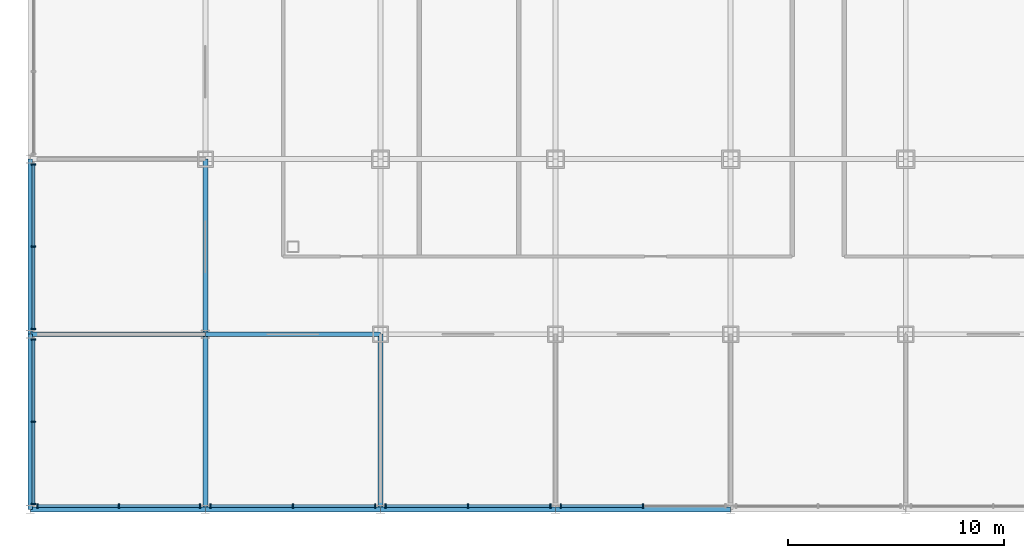
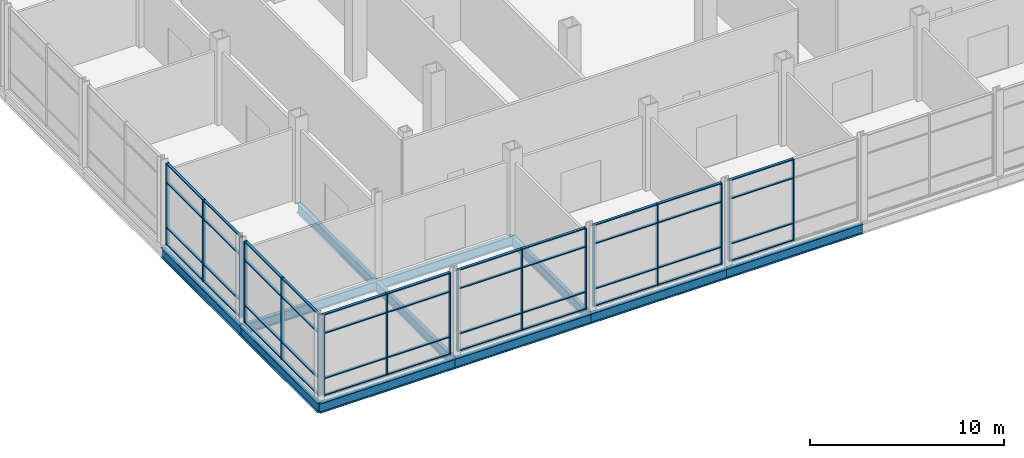
# One storey, part 9 of 30: 61 members, 11 beams, 6 elements without a shape of their own.
"""IFC4 building model written with IfcOpenShell, lengths in metres."""

from ifc_helpers import new_model, si_unit, direction, frame, origin, origin_2d, place, context, subcontext, project, spatial, rectangle, i_section, extrude, material, material_profile, profile_set, type_object, element, aggregate, save


model = new_model("IFC4")

# Units and contexts
model_context = context("Model", 3, precision=1e-05, world=origin(), true_north=direction((0.0, 1.0)))
body_context = subcontext(model_context, "Body", "Model", "MODEL_VIEW")
ifc_project = project(units=[si_unit("LENGTHUNIT", "METRE"), si_unit("AREAUNIT", "SQUARE_METRE"), si_unit("VOLUMEUNIT", "CUBIC_METRE"), si_unit("PLANEANGLEUNIT", "RADIAN"), si_unit("MASSUNIT", "GRAM", prefix="KILO")], contexts=[model_context])

# Site, building, storey
site_placement = place(None, origin())
site = spatial("IfcSite", under=ifc_project, at=site_placement, CompositionType="ELEMENT")
building_placement = place(site_placement, origin())
building = spatial("IfcBuilding", under=site, at=building_placement, Name="Kopane Lantern Tower", CompositionType="ELEMENT")
storey_placement = place(building_placement, frame((0.0, 0.0, 6.0)))
storey = spatial("IfcBuildingStorey", under=building, at=storey_placement, Name="L01", CompositionType="ELEMENT", Elevation=6.0)

# Beams
ifc_material_1 = material(Name="Steel S355JR", Category="steel")
ifc_material_profile_1 = material_profile(ifc_material_1, i_section(OverallWidth=0.22900390625, OverallDepth=0.6123046875, WebThickness=0.011962890625, FlangeThickness=0.01953125, FilletRadius=0.0126953125, at=origin_2d()), Name="UB 610x229x125")
ifc_profile_set_1 = profile_set([ifc_material_profile_1], Name="Steel S355JR")
beam_type = type_object("IfcBeamType", Name="GIRDER UB 610x229x125", PredefinedType="BEAM", material=ifc_profile_set_1)
for number, where, z_axis, x_axis, name in (
    (1, (-8.10009765625, -8.10009765625, -0.55615234375), (0.0, 1.0, 0.0), (-1.0, 0.0, 0.0), "Girder L01"),
    (2, (-8.10009765625, -8.10009765625, -0.55615234375), (1.0, 0.0, 0.0), (0.0, 1.0, 0.0), "Girder L01"),
    (3, (-8.10009765625, 0.0, -0.55615234375), (0.0, 1.0, 0.0), (-1.0, 0.0, 0.0), "Girder L01"),
    (4, (-8.10009765625, 0.0, -0.55615234375), (1.0, 0.0, 0.0), (0.0, 1.0, 0.0), "Girder L01"),
    (5, (0.0, -8.10009765625, -0.55615234375), (0.0, 1.0, 0.0), (-1.0, 0.0, 0.0), "Girder L01"),
    (6, (0.0, -8.10009765625, -0.55615234375), (1.0, 0.0, 0.0), (0.0, 1.0, 0.0), "Girder L01"),
    (7, (0.0, 0.0, -0.55615234375), (0.0, 1.0, 0.0), (-1.0, 0.0, 0.0), "Girder L01"),
    (8, (0.0, 0.0, -0.55615234375), (1.0, 0.0, 0.0), (0.0, 1.0, 0.0), "Girder L01"),
    (9, (8.10009765625, -8.10009765625, -0.55615234375), (0.0, 1.0, 0.0), (-1.0, 0.0, 0.0), "Girder L01"),
):
    element("IfcBeam", number, at=place(storey_placement, frame(where, z_axis=z_axis, x_axis=x_axis)), inside=storey, type_object=beam_type, Name=name, PredefinedType="BEAM", context=body_context, shape_type="SweptSolid", body=[
        extrude(i_section(OverallWidth=0.22900390625, OverallDepth=0.6123046875, WebThickness=0.011962890625, FlangeThickness=0.01953125, FilletRadius=0.0126953125, at=origin_2d()), origin(), (0.0, 0.0, 1.0), 8.10009765625),
    ])
beam_1_placement = place(storey_placement, frame((8.10009765625, -8.10009765625, -0.55615234375), z_axis=(1.0, 0.0, 0.0), x_axis=(0.0, 1.0, 0.0)))
element("IfcBeam", 10, at=beam_1_placement, inside=storey, type_object=beam_type, Name="Girder L01", PredefinedType="BEAM", context=body_context, shape_type="SweptSolid", body=[
    extrude(i_section(OverallWidth=0.22900390625, OverallDepth=0.6123046875, WebThickness=0.011962890625, FlangeThickness=0.01953125, FilletRadius=0.0126953125, at=origin_2d()), origin(), (0.0, 0.0, 1.0), 8.099853515625),
])
beam_2_placement = place(storey_placement, frame((16.199951171875, -8.10009765625, -0.55615234375), z_axis=(1.0, 0.0, 0.0), x_axis=(0.0, 1.0, 0.0)))
element("IfcBeam", 11, at=beam_2_placement, inside=storey, type_object=beam_type, Name="Girder L01", PredefinedType="BEAM", context=body_context, shape_type="SweptSolid", body=[
    extrude(i_section(OverallWidth=0.22900390625, OverallDepth=0.6123046875, WebThickness=0.011962890625, FlangeThickness=0.01953125, FilletRadius=0.0126953125, at=origin_2d()), origin(), (0.0, 0.0, 1.0), 8.10009765625),
])

# Curtain wall, members
ifc_material_2 = material(Name="Aluminium and clear glass", Category="aluminium")
curtain_wall_type = type_object("IfcCurtainWallType", Name="CURTAIN WALL CW1 PODIUM STOREFRONT", PredefinedType="USERDEFINED", material=ifc_material_2)
curtain_wall_1_placement = place(storey_placement, origin())
curtain_wall_1 = element("IfcCurtainWall", 12, at=curtain_wall_1_placement, inside=storey, type_object=curtain_wall_type, Name="Curtain wall CW1 S L01", ObjectType="CURTAIN WALL", PredefinedType="USERDEFINED")
ifc_material_3 = material(Name="Aluminium", Category="aluminium")
ifc_material_profile_2 = material_profile(ifc_material_3, rectangle(XDim=0.06494140625, YDim=0.199951171875, at=origin_2d()), Name="AL 65x200")
ifc_profile_set_2 = profile_set([ifc_material_profile_2], Name="Aluminium")
member_type_1 = type_object("IfcMemberType", Name="MULLION CW1-M 65x200", PredefinedType="MULLION", material=ifc_profile_set_2)
member_1_placement = place(storey_placement, frame((-7.767578125, -7.949951171875, 0.0), z_axis=(0.0, 0.0, 1.0), x_axis=(1.0, 0.0, 0.0)))
member_1 = element("IfcMember", 13, at=member_1_placement, type_object=member_type_1, Name="CW1 mullion 1", PredefinedType="MULLION", context=body_context, shape_type="SweptSolid", body=[
    extrude(rectangle(XDim=0.06494140625, YDim=0.199951171875, at=origin_2d()), origin(), (0.0, 0.0, 1.0), 5.14990234375),
])
member_2_placement = place(storey_placement, frame((-4.003173828125, -7.949951171875, 0.0), z_axis=(0.0, 0.0, 1.0), x_axis=(1.0, 0.0, 0.0)))
member_2 = element("IfcMember", 14, at=member_2_placement, type_object=member_type_1, Name="CW1 mullion 2", PredefinedType="MULLION", context=body_context, shape_type="SweptSolid", body=[
    extrude(rectangle(XDim=0.06494140625, YDim=0.199951171875, at=origin_2d()), origin(), (0.0, 0.0, 1.0), 5.14990234375),
])
member_3_placement = place(storey_placement, frame((-0.239013671875, -7.949951171875, 0.0), z_axis=(0.0, 0.0, 1.0), x_axis=(1.0, 0.0, 0.0)))
member_3 = element("IfcMember", 15, at=member_3_placement, type_object=member_type_1, Name="CW1 mullion 3", PredefinedType="MULLION", context=body_context, shape_type="SweptSolid", body=[
    extrude(rectangle(XDim=0.06494140625, YDim=0.199951171875, at=origin_2d()), origin(), (0.0, 0.0, 1.0), 5.14990234375),
])

curtain_wall_2_placement = place(storey_placement, origin())
curtain_wall_2 = element("IfcCurtainWall", 16, at=curtain_wall_2_placement, inside=storey, type_object=curtain_wall_type, Name="Curtain wall CW1 S L01", ObjectType="CURTAIN WALL", PredefinedType="USERDEFINED")
member_4_placement = place(storey_placement, frame((0.239013671875, -7.949951171875, 0.0), z_axis=(0.0, 0.0, 1.0), x_axis=(1.0, 0.0, 0.0)))
member_4 = element("IfcMember", 17, at=member_4_placement, type_object=member_type_1, Name="CW1 mullion 1", PredefinedType="MULLION", context=body_context, shape_type="SweptSolid", body=[
    extrude(rectangle(XDim=0.06494140625, YDim=0.199951171875, at=origin_2d()), origin(), (0.0, 0.0, 1.0), 5.14990234375),
])
member_5_placement = place(storey_placement, frame((4.050048828125, -7.949951171875, 0.0), z_axis=(0.0, 0.0, 1.0), x_axis=(1.0, 0.0, 0.0)))
member_5 = element("IfcMember", 18, at=member_5_placement, type_object=member_type_1, Name="CW1 mullion 2", PredefinedType="MULLION", context=body_context, shape_type="SweptSolid", body=[
    extrude(rectangle(XDim=0.06494140625, YDim=0.199951171875, at=origin_2d()), origin(), (0.0, 0.0, 1.0), 5.14990234375),
])
member_6_placement = place(storey_placement, frame((7.861083984375, -7.949951171875, 0.0), z_axis=(0.0, 0.0, 1.0), x_axis=(1.0, 0.0, 0.0)))
member_6 = element("IfcMember", 19, at=member_6_placement, type_object=member_type_1, Name="CW1 mullion 3", PredefinedType="MULLION", context=body_context, shape_type="SweptSolid", body=[
    extrude(rectangle(XDim=0.06494140625, YDim=0.199951171875, at=origin_2d()), origin(), (0.0, 0.0, 1.0), 5.14990234375),
])

curtain_wall_3_placement = place(storey_placement, origin())
curtain_wall_3 = element("IfcCurtainWall", 20, at=curtain_wall_3_placement, inside=storey, type_object=curtain_wall_type, Name="Curtain wall CW1 S L01", ObjectType="CURTAIN WALL", PredefinedType="USERDEFINED")
member_7_placement = place(storey_placement, frame((8.339111328125, -7.949951171875, 0.0), z_axis=(0.0, 0.0, 1.0), x_axis=(1.0, 0.0, 0.0)))
member_7 = element("IfcMember", 21, at=member_7_placement, type_object=member_type_1, Name="CW1 mullion 1", PredefinedType="MULLION", context=body_context, shape_type="SweptSolid", body=[
    extrude(rectangle(XDim=0.06494140625, YDim=0.199951171875, at=origin_2d()), origin(), (0.0, 0.0, 1.0), 5.14990234375),
])
member_8_placement = place(storey_placement, frame((12.14990234375, -7.949951171875, 0.0), z_axis=(0.0, 0.0, 1.0), x_axis=(1.0, 0.0, 0.0)))
member_8 = element("IfcMember", 22, at=member_8_placement, type_object=member_type_1, Name="CW1 mullion 2", PredefinedType="MULLION", context=body_context, shape_type="SweptSolid", body=[
    extrude(rectangle(XDim=0.06494140625, YDim=0.199951171875, at=origin_2d()), origin(), (0.0, 0.0, 1.0), 5.14990234375),
])
member_9_placement = place(storey_placement, frame((15.9609375, -7.949951171875, 0.0), z_axis=(0.0, 0.0, 1.0), x_axis=(1.0, 0.0, 0.0)))
member_9 = element("IfcMember", 23, at=member_9_placement, type_object=member_type_1, Name="CW1 mullion 3", PredefinedType="MULLION", context=body_context, shape_type="SweptSolid", body=[
    extrude(rectangle(XDim=0.06494140625, YDim=0.199951171875, at=origin_2d()), origin(), (0.0, 0.0, 1.0), 5.14990234375),
])

curtain_wall_4_placement = place(storey_placement, origin())
curtain_wall_4 = element("IfcCurtainWall", 24, at=curtain_wall_4_placement, inside=storey, type_object=curtain_wall_type, Name="Curtain wall CW1 S L01", ObjectType="CURTAIN WALL", PredefinedType="USERDEFINED")
member_10_placement = place(storey_placement, frame((16.43896484375, -7.949951171875, 0.0), z_axis=(0.0, 0.0, 1.0), x_axis=(1.0, 0.0, 0.0)))
member_10 = element("IfcMember", 25, at=member_10_placement, type_object=member_type_1, Name="CW1 mullion 1", PredefinedType="MULLION", context=body_context, shape_type="SweptSolid", body=[
    extrude(rectangle(XDim=0.06494140625, YDim=0.199951171875, at=origin_2d()), origin(), (0.0, 0.0, 1.0), 5.14990234375),
])
member_11_placement = place(storey_placement, frame((20.25, -7.949951171875, 0.0), z_axis=(0.0, 0.0, 1.0), x_axis=(1.0, 0.0, 0.0)))
member_11 = element("IfcMember", 26, at=member_11_placement, type_object=member_type_1, Name="CW1 mullion 2", PredefinedType="MULLION", context=body_context, shape_type="SweptSolid", body=[
    extrude(rectangle(XDim=0.06494140625, YDim=0.199951171875, at=origin_2d()), origin(), (0.0, 0.0, 1.0), 5.14990234375),
])

curtain_wall_5_placement = place(storey_placement, origin())
curtain_wall_5 = element("IfcCurtainWall", 27, at=curtain_wall_5_placement, inside=storey, type_object=curtain_wall_type, Name="Curtain wall CW1 W L01", ObjectType="CURTAIN WALL", PredefinedType="USERDEFINED")
member_12_placement = place(storey_placement, frame((-7.949951171875, 7.859375, 0.0), z_axis=(0.0, 0.0, 1.0), x_axis=(0.0, -1.0, 0.0)))
member_12 = element("IfcMember", 28, at=member_12_placement, type_object=member_type_1, Name="CW1 mullion 1", PredefinedType="MULLION", context=body_context, shape_type="SweptSolid", body=[
    extrude(rectangle(XDim=0.06494140625, YDim=0.199951171875, at=origin_2d()), origin(), (0.0, 0.0, 1.0), 5.14990234375),
])
member_13_placement = place(storey_placement, frame((-7.949951171875, 4.050048828125, 0.0), z_axis=(0.0, 0.0, 1.0), x_axis=(0.0, -1.0, 0.0)))
member_13 = element("IfcMember", 29, at=member_13_placement, type_object=member_type_1, Name="CW1 mullion 2", PredefinedType="MULLION", context=body_context, shape_type="SweptSolid", body=[
    extrude(rectangle(XDim=0.06494140625, YDim=0.199951171875, at=origin_2d()), origin(), (0.0, 0.0, 1.0), 5.14990234375),
])
member_14_placement = place(storey_placement, frame((-7.949951171875, 0.24072265625, 0.0), z_axis=(0.0, 0.0, 1.0), x_axis=(0.0, -1.0, 0.0)))
member_14 = element("IfcMember", 30, at=member_14_placement, type_object=member_type_1, Name="CW1 mullion 3", PredefinedType="MULLION", context=body_context, shape_type="SweptSolid", body=[
    extrude(rectangle(XDim=0.06494140625, YDim=0.199951171875, at=origin_2d()), origin(), (0.0, 0.0, 1.0), 5.14990234375),
])

curtain_wall_6_placement = place(storey_placement, origin())
curtain_wall_6 = element("IfcCurtainWall", 31, at=curtain_wall_6_placement, inside=storey, type_object=curtain_wall_type, Name="Curtain wall CW1 W L01", ObjectType="CURTAIN WALL", PredefinedType="USERDEFINED")
member_15_placement = place(storey_placement, frame((-7.949951171875, -0.24072265625, 0.0), z_axis=(0.0, 0.0, 1.0), x_axis=(0.0, -1.0, 0.0)))
member_15 = element("IfcMember", 32, at=member_15_placement, type_object=member_type_1, Name="CW1 mullion 1", PredefinedType="MULLION", context=body_context, shape_type="SweptSolid", body=[
    extrude(rectangle(XDim=0.06494140625, YDim=0.199951171875, at=origin_2d()), origin(), (0.0, 0.0, 1.0), 5.14990234375),
])
member_16_placement = place(storey_placement, frame((-7.949951171875, -4.050048828125, 0.0), z_axis=(0.0, 0.0, 1.0), x_axis=(0.0, -1.0, 0.0)))
member_16 = element("IfcMember", 33, at=member_16_placement, type_object=member_type_1, Name="CW1 mullion 2", PredefinedType="MULLION", context=body_context, shape_type="SweptSolid", body=[
    extrude(rectangle(XDim=0.06494140625, YDim=0.199951171875, at=origin_2d()), origin(), (0.0, 0.0, 1.0), 5.14990234375),
])
member_17_placement = place(storey_placement, frame((-7.949951171875, -7.859375, 0.0), z_axis=(0.0, 0.0, 1.0), x_axis=(0.0, -1.0, 0.0)))
member_17 = element("IfcMember", 34, at=member_17_placement, type_object=member_type_1, Name="CW1 mullion 3", PredefinedType="MULLION", context=body_context, shape_type="SweptSolid", body=[
    extrude(rectangle(XDim=0.06494140625, YDim=0.199951171875, at=origin_2d()), origin(), (0.0, 0.0, 1.0), 5.14990234375),
])

# Member
ifc_material_4 = material(Name="Aluminium", Category="aluminium")
ifc_material_profile_3 = material_profile(ifc_material_4, rectangle(XDim=0.14990234375, YDim=0.06494140625, at=origin_2d()), Name="AL 150x65")
ifc_profile_set_3 = profile_set([ifc_material_profile_3], Name="Aluminium")
member_type_2 = type_object("IfcMemberType", Name="TRANSOM CW1-T 65x150", PredefinedType="USERDEFINED", material=ifc_profile_set_3)
member_18_placement = place(storey_placement, frame((-7.735107421875, -7.949951171875, 0.032470703125), z_axis=(1.0, 0.0, 0.0), x_axis=(0.0, 1.0, 0.0)))
member_18 = element("IfcMember", 35, at=member_18_placement, type_object=member_type_2, Name="CW1 transom 1.1", ObjectType="TRANSOM", PredefinedType="USERDEFINED", context=body_context, shape_type="SweptSolid", body=[
    extrude(rectangle(XDim=0.14990234375, YDim=0.06494140625, at=origin_2d()), origin(), (0.0, 0.0, 1.0), 3.699462890625),
])

member_19_placement = place(storey_placement, frame((-7.735107421875, -7.949951171875, 1.10009765625), z_axis=(1.0, 0.0, 0.0), x_axis=(0.0, 1.0, 0.0)))
member_19 = element("IfcMember", 36, at=member_19_placement, type_object=member_type_2, Name="CW1 transom 1.2", ObjectType="TRANSOM", PredefinedType="USERDEFINED", context=body_context, shape_type="SweptSolid", body=[
    extrude(rectangle(XDim=0.14990234375, YDim=0.06494140625, at=origin_2d()), origin(), (0.0, 0.0, 1.0), 3.699462890625),
])

member_20_placement = place(storey_placement, frame((-7.735107421875, -7.949951171875, 3.949951171875), z_axis=(1.0, 0.0, 0.0), x_axis=(0.0, 1.0, 0.0)))
member_20 = element("IfcMember", 37, at=member_20_placement, type_object=member_type_2, Name="CW1 transom 1.3", ObjectType="TRANSOM", PredefinedType="USERDEFINED", context=body_context, shape_type="SweptSolid", body=[
    extrude(rectangle(XDim=0.14990234375, YDim=0.06494140625, at=origin_2d()), origin(), (0.0, 0.0, 1.0), 3.699462890625),
])

member_21_placement = place(storey_placement, frame((-7.735107421875, -7.949951171875, 5.117431640625), z_axis=(1.0, 0.0, 0.0), x_axis=(0.0, 1.0, 0.0)))
member_21 = element("IfcMember", 38, at=member_21_placement, type_object=member_type_2, Name="CW1 transom 1.4", ObjectType="TRANSOM", PredefinedType="USERDEFINED", context=body_context, shape_type="SweptSolid", body=[
    extrude(rectangle(XDim=0.14990234375, YDim=0.06494140625, at=origin_2d()), origin(), (0.0, 0.0, 1.0), 3.699462890625),
])

member_22_placement = place(storey_placement, frame((-3.970703125, -7.949951171875, 0.032470703125), z_axis=(1.0, 0.0, 0.0), x_axis=(0.0, 1.0, 0.0)))
member_22 = element("IfcMember", 39, at=member_22_placement, type_object=member_type_2, Name="CW1 transom 2.1", ObjectType="TRANSOM", PredefinedType="USERDEFINED", context=body_context, shape_type="SweptSolid", body=[
    extrude(rectangle(XDim=0.14990234375, YDim=0.06494140625, at=origin_2d()), origin(), (0.0, 0.0, 1.0), 3.69921875),
])

member_23_placement = place(storey_placement, frame((-3.970703125, -7.949951171875, 1.10009765625), z_axis=(1.0, 0.0, 0.0), x_axis=(0.0, 1.0, 0.0)))
member_23 = element("IfcMember", 40, at=member_23_placement, type_object=member_type_2, Name="CW1 transom 2.2", ObjectType="TRANSOM", PredefinedType="USERDEFINED", context=body_context, shape_type="SweptSolid", body=[
    extrude(rectangle(XDim=0.14990234375, YDim=0.06494140625, at=origin_2d()), origin(), (0.0, 0.0, 1.0), 3.69921875),
])

member_24_placement = place(storey_placement, frame((-3.970703125, -7.949951171875, 3.949951171875), z_axis=(1.0, 0.0, 0.0), x_axis=(0.0, 1.0, 0.0)))
member_24 = element("IfcMember", 41, at=member_24_placement, type_object=member_type_2, Name="CW1 transom 2.3", ObjectType="TRANSOM", PredefinedType="USERDEFINED", context=body_context, shape_type="SweptSolid", body=[
    extrude(rectangle(XDim=0.14990234375, YDim=0.06494140625, at=origin_2d()), origin(), (0.0, 0.0, 1.0), 3.69921875),
])

member_25_placement = place(storey_placement, frame((-3.970703125, -7.949951171875, 5.117431640625), z_axis=(1.0, 0.0, 0.0), x_axis=(0.0, 1.0, 0.0)))
member_25 = element("IfcMember", 42, at=member_25_placement, type_object=member_type_2, Name="CW1 transom 2.4", ObjectType="TRANSOM", PredefinedType="USERDEFINED", context=body_context, shape_type="SweptSolid", body=[
    extrude(rectangle(XDim=0.14990234375, YDim=0.06494140625, at=origin_2d()), origin(), (0.0, 0.0, 1.0), 3.69921875),
])

aggregate(curtain_wall_1, [member_1, member_2, member_3, member_18, member_19, member_20, member_21, member_22, member_23, member_24, member_25])

member_26_placement = place(storey_placement, frame((0.271484375, -7.949951171875, 0.032470703125), z_axis=(1.0, 0.0, 0.0), x_axis=(0.0, 1.0, 0.0)))
member_26 = element("IfcMember", 43, at=member_26_placement, type_object=member_type_2, Name="CW1 transom 1.1", ObjectType="TRANSOM", PredefinedType="USERDEFINED", context=body_context, shape_type="SweptSolid", body=[
    extrude(rectangle(XDim=0.14990234375, YDim=0.06494140625, at=origin_2d()), origin(), (0.0, 0.0, 1.0), 3.74609375),
])

member_27_placement = place(storey_placement, frame((0.271484375, -7.949951171875, 1.10009765625), z_axis=(1.0, 0.0, 0.0), x_axis=(0.0, 1.0, 0.0)))
member_27 = element("IfcMember", 44, at=member_27_placement, type_object=member_type_2, Name="CW1 transom 1.2", ObjectType="TRANSOM", PredefinedType="USERDEFINED", context=body_context, shape_type="SweptSolid", body=[
    extrude(rectangle(XDim=0.14990234375, YDim=0.06494140625, at=origin_2d()), origin(), (0.0, 0.0, 1.0), 3.74609375),
])

member_28_placement = place(storey_placement, frame((0.271484375, -7.949951171875, 3.949951171875), z_axis=(1.0, 0.0, 0.0), x_axis=(0.0, 1.0, 0.0)))
member_28 = element("IfcMember", 45, at=member_28_placement, type_object=member_type_2, Name="CW1 transom 1.3", ObjectType="TRANSOM", PredefinedType="USERDEFINED", context=body_context, shape_type="SweptSolid", body=[
    extrude(rectangle(XDim=0.14990234375, YDim=0.06494140625, at=origin_2d()), origin(), (0.0, 0.0, 1.0), 3.74609375),
])

member_29_placement = place(storey_placement, frame((0.271484375, -7.949951171875, 5.117431640625), z_axis=(1.0, 0.0, 0.0), x_axis=(0.0, 1.0, 0.0)))
member_29 = element("IfcMember", 46, at=member_29_placement, type_object=member_type_2, Name="CW1 transom 1.4", ObjectType="TRANSOM", PredefinedType="USERDEFINED", context=body_context, shape_type="SweptSolid", body=[
    extrude(rectangle(XDim=0.14990234375, YDim=0.06494140625, at=origin_2d()), origin(), (0.0, 0.0, 1.0), 3.74609375),
])

member_30_placement = place(storey_placement, frame((4.08251953125, -7.949951171875, 0.032470703125), z_axis=(1.0, 0.0, 0.0), x_axis=(0.0, 1.0, 0.0)))
member_30 = element("IfcMember", 47, at=member_30_placement, type_object=member_type_2, Name="CW1 transom 2.1", ObjectType="TRANSOM", PredefinedType="USERDEFINED", context=body_context, shape_type="SweptSolid", body=[
    extrude(rectangle(XDim=0.14990234375, YDim=0.06494140625, at=origin_2d()), origin(), (0.0, 0.0, 1.0), 3.74609375),
])

member_31_placement = place(storey_placement, frame((4.08251953125, -7.949951171875, 1.10009765625), z_axis=(1.0, 0.0, 0.0), x_axis=(0.0, 1.0, 0.0)))
member_31 = element("IfcMember", 48, at=member_31_placement, type_object=member_type_2, Name="CW1 transom 2.2", ObjectType="TRANSOM", PredefinedType="USERDEFINED", context=body_context, shape_type="SweptSolid", body=[
    extrude(rectangle(XDim=0.14990234375, YDim=0.06494140625, at=origin_2d()), origin(), (0.0, 0.0, 1.0), 3.74609375),
])

member_32_placement = place(storey_placement, frame((4.08251953125, -7.949951171875, 3.949951171875), z_axis=(1.0, 0.0, 0.0), x_axis=(0.0, 1.0, 0.0)))
member_32 = element("IfcMember", 49, at=member_32_placement, type_object=member_type_2, Name="CW1 transom 2.3", ObjectType="TRANSOM", PredefinedType="USERDEFINED", context=body_context, shape_type="SweptSolid", body=[
    extrude(rectangle(XDim=0.14990234375, YDim=0.06494140625, at=origin_2d()), origin(), (0.0, 0.0, 1.0), 3.74609375),
])

member_33_placement = place(storey_placement, frame((4.08251953125, -7.949951171875, 5.117431640625), z_axis=(1.0, 0.0, 0.0), x_axis=(0.0, 1.0, 0.0)))
member_33 = element("IfcMember", 50, at=member_33_placement, type_object=member_type_2, Name="CW1 transom 2.4", ObjectType="TRANSOM", PredefinedType="USERDEFINED", context=body_context, shape_type="SweptSolid", body=[
    extrude(rectangle(XDim=0.14990234375, YDim=0.06494140625, at=origin_2d()), origin(), (0.0, 0.0, 1.0), 3.74609375),
])

aggregate(curtain_wall_2, [member_4, member_5, member_6, member_26, member_27, member_28, member_29, member_30, member_31, member_32, member_33])

member_34_placement = place(storey_placement, frame((8.37158203125, -7.949951171875, 0.032470703125), z_axis=(1.0, 0.0, 0.0), x_axis=(0.0, 1.0, 0.0)))
member_34 = element("IfcMember", 51, at=member_34_placement, type_object=member_type_2, Name="CW1 transom 1.1", ObjectType="TRANSOM", PredefinedType="USERDEFINED", context=body_context, shape_type="SweptSolid", body=[
    extrude(rectangle(XDim=0.14990234375, YDim=0.06494140625, at=origin_2d()), origin(), (0.0, 0.0, 1.0), 3.745849609375),
])

member_35_placement = place(storey_placement, frame((8.37158203125, -7.949951171875, 1.10009765625), z_axis=(1.0, 0.0, 0.0), x_axis=(0.0, 1.0, 0.0)))
member_35 = element("IfcMember", 52, at=member_35_placement, type_object=member_type_2, Name="CW1 transom 1.2", ObjectType="TRANSOM", PredefinedType="USERDEFINED", context=body_context, shape_type="SweptSolid", body=[
    extrude(rectangle(XDim=0.14990234375, YDim=0.06494140625, at=origin_2d()), origin(), (0.0, 0.0, 1.0), 3.745849609375),
])

member_36_placement = place(storey_placement, frame((8.37158203125, -7.949951171875, 3.949951171875), z_axis=(1.0, 0.0, 0.0), x_axis=(0.0, 1.0, 0.0)))
member_36 = element("IfcMember", 53, at=member_36_placement, type_object=member_type_2, Name="CW1 transom 1.3", ObjectType="TRANSOM", PredefinedType="USERDEFINED", context=body_context, shape_type="SweptSolid", body=[
    extrude(rectangle(XDim=0.14990234375, YDim=0.06494140625, at=origin_2d()), origin(), (0.0, 0.0, 1.0), 3.745849609375),
])

member_37_placement = place(storey_placement, frame((8.37158203125, -7.949951171875, 5.117431640625), z_axis=(1.0, 0.0, 0.0), x_axis=(0.0, 1.0, 0.0)))
member_37 = element("IfcMember", 54, at=member_37_placement, type_object=member_type_2, Name="CW1 transom 1.4", ObjectType="TRANSOM", PredefinedType="USERDEFINED", context=body_context, shape_type="SweptSolid", body=[
    extrude(rectangle(XDim=0.14990234375, YDim=0.06494140625, at=origin_2d()), origin(), (0.0, 0.0, 1.0), 3.745849609375),
])

member_38_placement = place(storey_placement, frame((12.1826171875, -7.949951171875, 0.032470703125), z_axis=(1.0, 0.0, 0.0), x_axis=(0.0, 1.0, 0.0)))
member_38 = element("IfcMember", 55, at=member_38_placement, type_object=member_type_2, Name="CW1 transom 2.1", ObjectType="TRANSOM", PredefinedType="USERDEFINED", context=body_context, shape_type="SweptSolid", body=[
    extrude(rectangle(XDim=0.14990234375, YDim=0.06494140625, at=origin_2d()), origin(), (0.0, 0.0, 1.0), 3.745849609375),
])

member_39_placement = place(storey_placement, frame((12.1826171875, -7.949951171875, 1.10009765625), z_axis=(1.0, 0.0, 0.0), x_axis=(0.0, 1.0, 0.0)))
member_39 = element("IfcMember", 56, at=member_39_placement, type_object=member_type_2, Name="CW1 transom 2.2", ObjectType="TRANSOM", PredefinedType="USERDEFINED", context=body_context, shape_type="SweptSolid", body=[
    extrude(rectangle(XDim=0.14990234375, YDim=0.06494140625, at=origin_2d()), origin(), (0.0, 0.0, 1.0), 3.745849609375),
])

member_40_placement = place(storey_placement, frame((12.1826171875, -7.949951171875, 3.949951171875), z_axis=(1.0, 0.0, 0.0), x_axis=(0.0, 1.0, 0.0)))
member_40 = element("IfcMember", 57, at=member_40_placement, type_object=member_type_2, Name="CW1 transom 2.3", ObjectType="TRANSOM", PredefinedType="USERDEFINED", context=body_context, shape_type="SweptSolid", body=[
    extrude(rectangle(XDim=0.14990234375, YDim=0.06494140625, at=origin_2d()), origin(), (0.0, 0.0, 1.0), 3.745849609375),
])

member_41_placement = place(storey_placement, frame((12.1826171875, -7.949951171875, 5.117431640625), z_axis=(1.0, 0.0, 0.0), x_axis=(0.0, 1.0, 0.0)))
member_41 = element("IfcMember", 58, at=member_41_placement, type_object=member_type_2, Name="CW1 transom 2.4", ObjectType="TRANSOM", PredefinedType="USERDEFINED", context=body_context, shape_type="SweptSolid", body=[
    extrude(rectangle(XDim=0.14990234375, YDim=0.06494140625, at=origin_2d()), origin(), (0.0, 0.0, 1.0), 3.745849609375),
])

aggregate(curtain_wall_3, [member_7, member_8, member_9, member_34, member_35, member_36, member_37, member_38, member_39, member_40, member_41])

member_42_placement = place(storey_placement, frame((16.471435546875, -7.949951171875, 0.032470703125), z_axis=(1.0, 0.0, 0.0), x_axis=(0.0, 1.0, 0.0)))
member_42 = element("IfcMember", 59, at=member_42_placement, type_object=member_type_2, Name="CW1 transom 1.1", ObjectType="TRANSOM", PredefinedType="USERDEFINED", context=body_context, shape_type="SweptSolid", body=[
    extrude(rectangle(XDim=0.14990234375, YDim=0.06494140625, at=origin_2d()), origin(), (0.0, 0.0, 1.0), 3.74609375),
])

member_43_placement = place(storey_placement, frame((16.471435546875, -7.949951171875, 1.10009765625), z_axis=(1.0, 0.0, 0.0), x_axis=(0.0, 1.0, 0.0)))
member_43 = element("IfcMember", 60, at=member_43_placement, type_object=member_type_2, Name="CW1 transom 1.2", ObjectType="TRANSOM", PredefinedType="USERDEFINED", context=body_context, shape_type="SweptSolid", body=[
    extrude(rectangle(XDim=0.14990234375, YDim=0.06494140625, at=origin_2d()), origin(), (0.0, 0.0, 1.0), 3.74609375),
])

member_44_placement = place(storey_placement, frame((16.471435546875, -7.949951171875, 3.949951171875), z_axis=(1.0, 0.0, 0.0), x_axis=(0.0, 1.0, 0.0)))
member_44 = element("IfcMember", 61, at=member_44_placement, type_object=member_type_2, Name="CW1 transom 1.3", ObjectType="TRANSOM", PredefinedType="USERDEFINED", context=body_context, shape_type="SweptSolid", body=[
    extrude(rectangle(XDim=0.14990234375, YDim=0.06494140625, at=origin_2d()), origin(), (0.0, 0.0, 1.0), 3.74609375),
])

member_45_placement = place(storey_placement, frame((16.471435546875, -7.949951171875, 5.117431640625), z_axis=(1.0, 0.0, 0.0), x_axis=(0.0, 1.0, 0.0)))
member_45 = element("IfcMember", 62, at=member_45_placement, type_object=member_type_2, Name="CW1 transom 1.4", ObjectType="TRANSOM", PredefinedType="USERDEFINED", context=body_context, shape_type="SweptSolid", body=[
    extrude(rectangle(XDim=0.14990234375, YDim=0.06494140625, at=origin_2d()), origin(), (0.0, 0.0, 1.0), 3.74609375),
])

aggregate(curtain_wall_4, [member_10, member_11, member_42, member_43, member_44, member_45])

member_46_placement = place(storey_placement, frame((-7.949951171875, 7.826904296875, 0.032470703125), z_axis=(0.0, -1.0, 0.0), x_axis=(1.0, 0.0, 0.0)))
member_46 = element("IfcMember", 63, at=member_46_placement, type_object=member_type_2, Name="CW1 transom 1.1", ObjectType="TRANSOM", PredefinedType="USERDEFINED", context=body_context, shape_type="SweptSolid", body=[
    extrude(rectangle(XDim=0.14990234375, YDim=0.06494140625, at=origin_2d()), origin(), (0.0, 0.0, 1.0), 3.744384765625),
])

member_47_placement = place(storey_placement, frame((-7.949951171875, 7.826904296875, 1.10009765625), z_axis=(0.0, -1.0, 0.0), x_axis=(1.0, 0.0, 0.0)))
member_47 = element("IfcMember", 64, at=member_47_placement, type_object=member_type_2, Name="CW1 transom 1.2", ObjectType="TRANSOM", PredefinedType="USERDEFINED", context=body_context, shape_type="SweptSolid", body=[
    extrude(rectangle(XDim=0.14990234375, YDim=0.06494140625, at=origin_2d()), origin(), (0.0, 0.0, 1.0), 3.744384765625),
])

member_48_placement = place(storey_placement, frame((-7.949951171875, 7.826904296875, 3.949951171875), z_axis=(0.0, -1.0, 0.0), x_axis=(1.0, 0.0, 0.0)))
member_48 = element("IfcMember", 65, at=member_48_placement, type_object=member_type_2, Name="CW1 transom 1.3", ObjectType="TRANSOM", PredefinedType="USERDEFINED", context=body_context, shape_type="SweptSolid", body=[
    extrude(rectangle(XDim=0.14990234375, YDim=0.06494140625, at=origin_2d()), origin(), (0.0, 0.0, 1.0), 3.744384765625),
])

member_49_placement = place(storey_placement, frame((-7.949951171875, 7.826904296875, 5.117431640625), z_axis=(0.0, -1.0, 0.0), x_axis=(1.0, 0.0, 0.0)))
member_49 = element("IfcMember", 66, at=member_49_placement, type_object=member_type_2, Name="CW1 transom 1.4", ObjectType="TRANSOM", PredefinedType="USERDEFINED", context=body_context, shape_type="SweptSolid", body=[
    extrude(rectangle(XDim=0.14990234375, YDim=0.06494140625, at=origin_2d()), origin(), (0.0, 0.0, 1.0), 3.744384765625),
])

member_50_placement = place(storey_placement, frame((-7.949951171875, 4.017578125, 0.032470703125), z_axis=(0.0, -1.0, 0.0), x_axis=(1.0, 0.0, 0.0)))
member_50 = element("IfcMember", 67, at=member_50_placement, type_object=member_type_2, Name="CW1 transom 2.1", ObjectType="TRANSOM", PredefinedType="USERDEFINED", context=body_context, shape_type="SweptSolid", body=[
    extrude(rectangle(XDim=0.14990234375, YDim=0.06494140625, at=origin_2d()), origin(), (0.0, 0.0, 1.0), 3.744384765625),
])

member_51_placement = place(storey_placement, frame((-7.949951171875, 4.017578125, 1.10009765625), z_axis=(0.0, -1.0, 0.0), x_axis=(1.0, 0.0, 0.0)))
member_51 = element("IfcMember", 68, at=member_51_placement, type_object=member_type_2, Name="CW1 transom 2.2", ObjectType="TRANSOM", PredefinedType="USERDEFINED", context=body_context, shape_type="SweptSolid", body=[
    extrude(rectangle(XDim=0.14990234375, YDim=0.06494140625, at=origin_2d()), origin(), (0.0, 0.0, 1.0), 3.744384765625),
])

member_52_placement = place(storey_placement, frame((-7.949951171875, 4.017578125, 3.949951171875), z_axis=(0.0, -1.0, 0.0), x_axis=(1.0, 0.0, 0.0)))
member_52 = element("IfcMember", 69, at=member_52_placement, type_object=member_type_2, Name="CW1 transom 2.3", ObjectType="TRANSOM", PredefinedType="USERDEFINED", context=body_context, shape_type="SweptSolid", body=[
    extrude(rectangle(XDim=0.14990234375, YDim=0.06494140625, at=origin_2d()), origin(), (0.0, 0.0, 1.0), 3.744384765625),
])

member_53_placement = place(storey_placement, frame((-7.949951171875, 4.017578125, 5.117431640625), z_axis=(0.0, -1.0, 0.0), x_axis=(1.0, 0.0, 0.0)))
member_53 = element("IfcMember", 70, at=member_53_placement, type_object=member_type_2, Name="CW1 transom 2.4", ObjectType="TRANSOM", PredefinedType="USERDEFINED", context=body_context, shape_type="SweptSolid", body=[
    extrude(rectangle(XDim=0.14990234375, YDim=0.06494140625, at=origin_2d()), origin(), (0.0, 0.0, 1.0), 3.744384765625),
])

aggregate(curtain_wall_5, [member_12, member_13, member_14, member_46, member_47, member_48, member_49, member_50, member_51, member_52, member_53])

member_54_placement = place(storey_placement, frame((-7.949951171875, -0.273193359375, 0.032470703125), z_axis=(0.0, -1.0, 0.0), x_axis=(1.0, 0.0, 0.0)))
member_54 = element("IfcMember", 71, at=member_54_placement, type_object=member_type_2, Name="CW1 transom 1.1", ObjectType="TRANSOM", PredefinedType="USERDEFINED", context=body_context, shape_type="SweptSolid", body=[
    extrude(rectangle(XDim=0.14990234375, YDim=0.06494140625, at=origin_2d()), origin(), (0.0, 0.0, 1.0), 3.744384765625),
])

member_55_placement = place(storey_placement, frame((-7.949951171875, -0.273193359375, 1.10009765625), z_axis=(0.0, -1.0, 0.0), x_axis=(1.0, 0.0, 0.0)))
member_55 = element("IfcMember", 72, at=member_55_placement, type_object=member_type_2, Name="CW1 transom 1.2", ObjectType="TRANSOM", PredefinedType="USERDEFINED", context=body_context, shape_type="SweptSolid", body=[
    extrude(rectangle(XDim=0.14990234375, YDim=0.06494140625, at=origin_2d()), origin(), (0.0, 0.0, 1.0), 3.744384765625),
])

member_56_placement = place(storey_placement, frame((-7.949951171875, -0.273193359375, 3.949951171875), z_axis=(0.0, -1.0, 0.0), x_axis=(1.0, 0.0, 0.0)))
member_56 = element("IfcMember", 73, at=member_56_placement, type_object=member_type_2, Name="CW1 transom 1.3", ObjectType="TRANSOM", PredefinedType="USERDEFINED", context=body_context, shape_type="SweptSolid", body=[
    extrude(rectangle(XDim=0.14990234375, YDim=0.06494140625, at=origin_2d()), origin(), (0.0, 0.0, 1.0), 3.744384765625),
])

member_57_placement = place(storey_placement, frame((-7.949951171875, -0.273193359375, 5.117431640625), z_axis=(0.0, -1.0, 0.0), x_axis=(1.0, 0.0, 0.0)))
member_57 = element("IfcMember", 74, at=member_57_placement, type_object=member_type_2, Name="CW1 transom 1.4", ObjectType="TRANSOM", PredefinedType="USERDEFINED", context=body_context, shape_type="SweptSolid", body=[
    extrude(rectangle(XDim=0.14990234375, YDim=0.06494140625, at=origin_2d()), origin(), (0.0, 0.0, 1.0), 3.744384765625),
])

member_58_placement = place(storey_placement, frame((-7.949951171875, -4.08251953125, 0.032470703125), z_axis=(0.0, -1.0, 0.0), x_axis=(1.0, 0.0, 0.0)))
member_58 = element("IfcMember", 75, at=member_58_placement, type_object=member_type_2, Name="CW1 transom 2.1", ObjectType="TRANSOM", PredefinedType="USERDEFINED", context=body_context, shape_type="SweptSolid", body=[
    extrude(rectangle(XDim=0.14990234375, YDim=0.06494140625, at=origin_2d()), origin(), (0.0, 0.0, 1.0), 3.744384765625),
])

member_59_placement = place(storey_placement, frame((-7.949951171875, -4.08251953125, 1.10009765625), z_axis=(0.0, -1.0, 0.0), x_axis=(1.0, 0.0, 0.0)))
member_59 = element("IfcMember", 76, at=member_59_placement, type_object=member_type_2, Name="CW1 transom 2.2", ObjectType="TRANSOM", PredefinedType="USERDEFINED", context=body_context, shape_type="SweptSolid", body=[
    extrude(rectangle(XDim=0.14990234375, YDim=0.06494140625, at=origin_2d()), origin(), (0.0, 0.0, 1.0), 3.744384765625),
])

member_60_placement = place(storey_placement, frame((-7.949951171875, -4.08251953125, 3.949951171875), z_axis=(0.0, -1.0, 0.0), x_axis=(1.0, 0.0, 0.0)))
member_60 = element("IfcMember", 77, at=member_60_placement, type_object=member_type_2, Name="CW1 transom 2.3", ObjectType="TRANSOM", PredefinedType="USERDEFINED", context=body_context, shape_type="SweptSolid", body=[
    extrude(rectangle(XDim=0.14990234375, YDim=0.06494140625, at=origin_2d()), origin(), (0.0, 0.0, 1.0), 3.744384765625),
])

member_61_placement = place(storey_placement, frame((-7.949951171875, -4.08251953125, 5.117431640625), z_axis=(0.0, -1.0, 0.0), x_axis=(1.0, 0.0, 0.0)))
member_61 = element("IfcMember", 78, at=member_61_placement, type_object=member_type_2, Name="CW1 transom 2.4", ObjectType="TRANSOM", PredefinedType="USERDEFINED", context=body_context, shape_type="SweptSolid", body=[
    extrude(rectangle(XDim=0.14990234375, YDim=0.06494140625, at=origin_2d()), origin(), (0.0, 0.0, 1.0), 3.744384765625),
])

aggregate(curtain_wall_6, [member_15, member_16, member_17, member_54, member_55, member_56, member_57, member_58, member_59, member_60, member_61])

save(model, "model.ifc")
